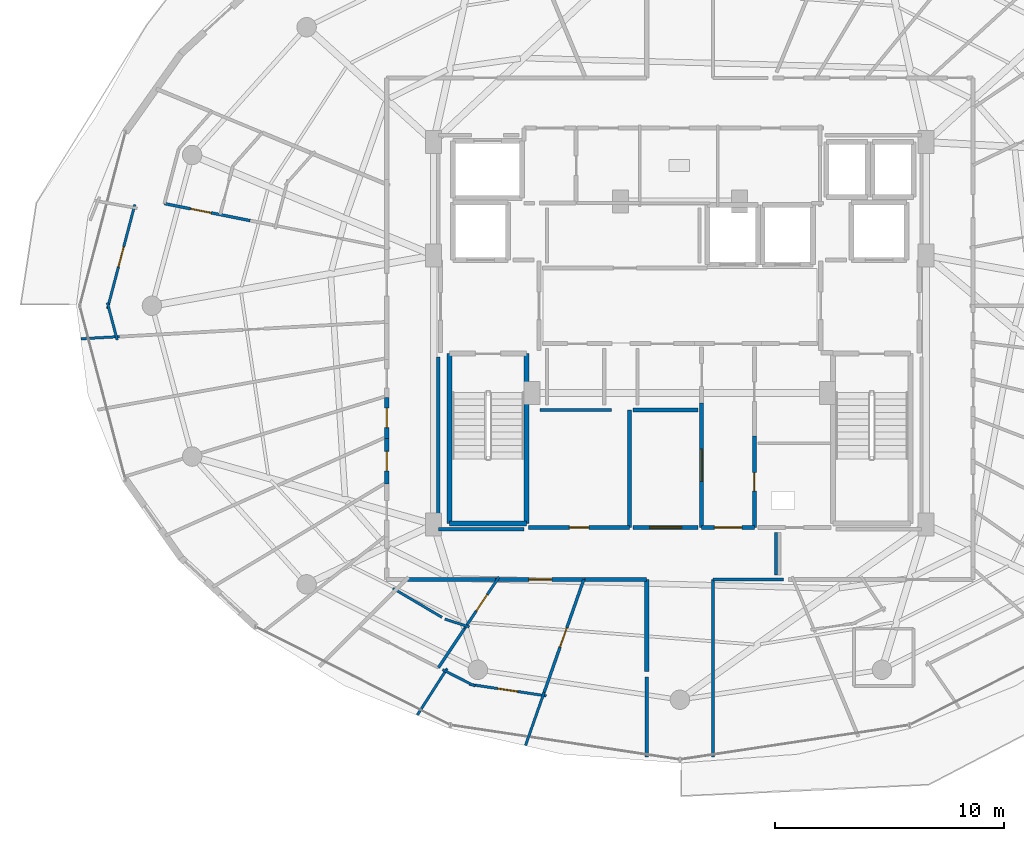
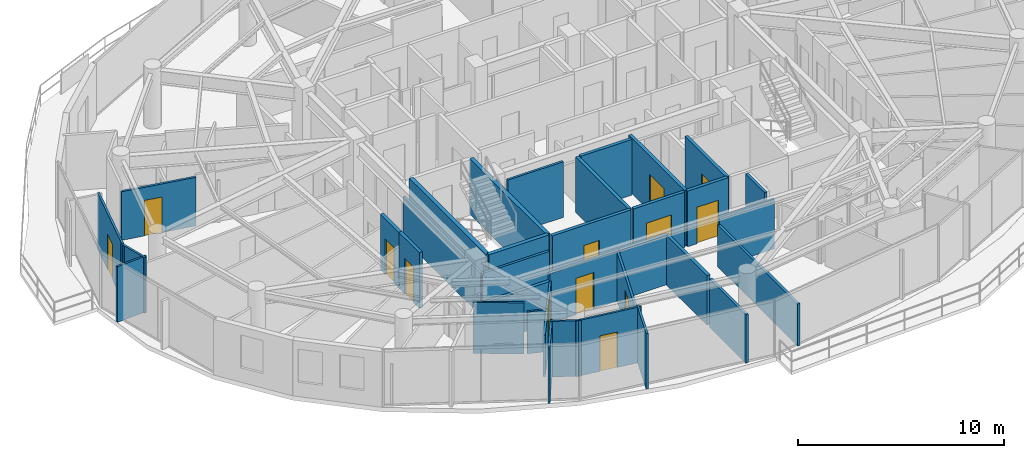
# One storey, part 20 of 29: 36 walls, 13 doors, 13 openings.
"""IFC4 building model written with IfcOpenShell, lengths in metres."""

from ifc_helpers import new_model, si_unit, direction, frame, frame_2d, origin, place, context, subcontext, project, spatial, rectangle, extrude, material, layer, layer_set, type_object, element, fill, save


model = new_model("IFC4")

# Units and contexts
model_context = context("Model", 3, precision=1e-05, world=origin(), true_north=direction((0.0, 1.0)))
body_context = subcontext(model_context, "Body", "Model", "MODEL_VIEW")
ifc_project = project(units=[si_unit("LENGTHUNIT", "METRE"), si_unit("AREAUNIT", "SQUARE_METRE"), si_unit("VOLUMEUNIT", "CUBIC_METRE"), si_unit("PLANEANGLEUNIT", "RADIAN"), si_unit("MASSUNIT", "GRAM", prefix="KILO")], contexts=[model_context])

# Site, building, storey
site_placement = place(None, origin())
site = spatial("IfcSite", under=ifc_project, at=site_placement, CompositionType="ELEMENT")
building_placement = place(site_placement, origin())
building = spatial("IfcBuilding", under=site, at=building_placement, Name="Vorneva Point Tower", CompositionType="ELEMENT")
storey_placement = place(building_placement, frame((0.0, 0.0, 255.550048828125)))
storey = spatial("IfcBuildingStorey", under=building, at=storey_placement, Name="L69", CompositionType="ELEMENT", Elevation=255.550048828125)

# Wall, opening, door
ifc_material_1 = material(Name="Fire-rated acoustic gypsum stud partition", Category="gypsum")
ifc_layer_1 = layer(ifc_material_1, 0.110107421875)
ifc_layer_set_1 = layer_set([ifc_layer_1], Name="Fire-rated acoustic gypsum stud partition")
wall_type_1 = type_object("IfcWallType", Name="WL-PART-110", PredefinedType="PARTITIONING", material=ifc_layer_set_1)
wall_1_placement = place(storey_placement, frame((14.20263671875, 30.41845703125, 0.0), z_axis=(0.0, 0.0, 1.0), x_axis=(-0.254460123068, -0.967083267236, 0.0)))
wall_1 = element("IfcWall", 1, at=wall_1_placement, inside=storey, type_object=wall_type_1, Name="L69 Interior Partition 077", PredefinedType="PARTITIONING", context=body_context, shape_type="SweptSolid", body=[
    extrude(rectangle(XDim=4.708984375, YDim=0.110107421875, at=frame_2d((2.3544921875, 0.0))), origin(), (0.0, 0.0, 1.0), 3.2900390625),
])
opening_1_placement = place(wall_1_placement, frame((1.904296875, 0.0, 0.0)))
opening_1 = element("IfcOpeningElement", 2, at=opening_1_placement, cuts=wall_1, Name="Opening ID-01", PredefinedType="OPENING", context=body_context, shape_type="SweptSolid", body=[
    extrude(rectangle(XDim=0.89990234375, YDim=2.10009765625, at=frame_2d((0.449951171875, 1.050048828125))), frame((0.0, 0.06982421875, 0.0), z_axis=(0.0, -1.0, 0.0), x_axis=(1.0, 0.0, 0.0)), (0.0, 0.0, 1.0), 0.139892578125),
])
ifc_material_2 = material(Name="Engineered oak fire-rated door leaf", Category="wood")
door_type_1 = type_object("IfcDoorType", Name="DR-ROOM-900", OperationType="NOTDEFINED", PredefinedType="DOOR", material=ifc_material_2)
door_1_placement = place(opening_1_placement, origin())
door_1 = element("IfcDoor", 3, at=door_1_placement, inside=storey, type_object=door_type_1, Name="L69 Door Living and Dining Room L69-01 / Kitchen L69-01", OperationType="SINGLE_SWING_LEFT", OverallHeight=2.10009765625, OverallWidth=0.89990234375, PredefinedType="DOOR", context=body_context, shape_type="SweptSolid", body=[
    extrude(rectangle(XDim=0.89990234375, YDim=2.10009765625, at=frame_2d((0.449951171875, 1.050048828125))), frame((0.0, 0.02490234375, 0.0), z_axis=(0.0, -1.0, 0.0), x_axis=(1.0, 0.0, 0.0)), (0.0, 0.0, 1.0), 0.050048828125),
])
fill(opening_1, door_1)

# Walls
wall_2_placement = place(storey_placement, frame((13.00439453125, 26.135498046875, 0.0), z_axis=(0.0, 0.0, 1.0), x_axis=(0.254278727694, -0.967130978018, 0.0)))
element("IfcWall", 4, at=wall_2_placement, inside=storey, type_object=wall_type_1, Name="L69 Interior Partition 078", PredefinedType="PARTITIONING", context=body_context, shape_type="SweptSolid", body=[
    extrude(rectangle(XDim=1.68017578125, YDim=0.110107421875, at=frame_2d((0.840087890625, 0.0))), origin(), (0.0, 0.0, 1.0), 3.2900390625),
])
wall_3_placement = place(storey_placement, frame((13.535888671875, 24.65380859375, 0.0), z_axis=(0.0, 0.0, 1.0), x_axis=(-0.998470551828, -0.055286138695, 0.0)))
element("IfcWall", 5, at=wall_3_placement, inside=storey, type_object=wall_type_1, Name="L69 Interior Partition 079", PredefinedType="PARTITIONING", context=body_context, shape_type="SweptSolid", body=[
    extrude(rectangle(XDim=1.69140625, YDim=0.110107421875, at=frame_2d((0.845703125, 0.0))), origin(), (0.0, 0.0, 1.0), 3.2900390625),
])

# Wall, opening, door
wall_4_placement = place(storey_placement, frame((30.103759765625, 14.16650390625, 0.0), z_axis=(0.0, 0.0, 1.0), x_axis=(-0.555011080332, -0.831842954354, 0.0)))
wall_4 = element("IfcWall", 6, at=wall_4_placement, inside=storey, type_object=wall_type_1, Name="L69 Interior Partition 097", PredefinedType="PARTITIONING", context=body_context, shape_type="SweptSolid", body=[
    extrude(rectangle(XDim=2.718017578125, YDim=0.110107421875, at=frame_2d((1.35888671875, 0.0))), origin(), (0.0, 0.0, 1.0), 2.48193359375),
])
opening_2_placement = place(wall_4_placement, frame((0.93408203125, 0.0, 0.0)))
opening_2 = element("IfcOpeningElement", 7, at=opening_2_placement, cuts=wall_4, Name="Opening ID-02", PredefinedType="OPENING", context=body_context, shape_type="SweptSolid", body=[
    extrude(rectangle(XDim=0.85009765625, YDim=2.10009765625, at=frame_2d((0.425048828125, 1.050048828125))), frame((0.0, 0.06982421875, 0.0), z_axis=(0.0, -1.0, 0.0), x_axis=(1.0, 0.0, 0.0)), (0.0, 0.0, 1.0), 0.139892578125),
])
door_type_2 = type_object("IfcDoorType", Name="DR-BATH-850", OperationType="NOTDEFINED", PredefinedType="DOOR", material=ifc_material_2)
door_2_placement = place(opening_2_placement, origin())
door_2 = element("IfcDoor", 8, at=door_2_placement, inside=storey, type_object=door_type_2, Name="L69 Door Living and Dining Room L69-02 / Bathroom L69-02", OperationType="SINGLE_SWING_RIGHT", OverallHeight=2.10009765625, OverallWidth=0.85009765625, PredefinedType="DOOR", context=body_context, shape_type="SweptSolid", body=[
    extrude(rectangle(XDim=0.85009765625, YDim=2.10009765625, at=frame_2d((0.425048828125, 1.050048828125))), frame((0.0, 0.02490234375, 0.0), z_axis=(0.0, -1.0, 0.0), x_axis=(1.0, 0.0, 0.0)), (0.0, 0.0, 1.0), 0.050048828125),
])
fill(opening_2, door_2)

# Walls
wall_5_placement = place(storey_placement, frame((26.534423828125, 8.132080078125, 0.0), z_axis=(0.0, 0.0, 1.0), x_axis=(0.540114041626, 0.841591838149, 0.0)))
element("IfcWall", 9, at=wall_5_placement, inside=storey, type_object=wall_type_1, Name="L69 Interior Partition 098", PredefinedType="PARTITIONING", context=body_context, shape_type="SweptSolid", body=[
    extrude(rectangle(XDim=2.41650390625, YDim=0.110107421875, at=frame_2d((1.208251953125, 0.0))), origin(), (0.0, 0.0, 1.0), 3.2900390625),
])
wall_6_placement = place(storey_placement, frame((27.638916015625, 10.111083984375, 0.0), z_axis=(0.0, 0.0, 1.0), x_axis=(0.892614165752, -0.45082141819, 0.0)))
element("IfcWall", 10, at=wall_6_placement, inside=storey, type_object=wall_type_1, Name="L69 Interior Partition 099", PredefinedType="PARTITIONING", context=body_context, shape_type="SweptSolid", body=[
    extrude(rectangle(XDim=1.595458984375, YDim=0.110107421875, at=frame_2d((0.7978515625, 0.0))), origin(), (0.0, 0.0, 1.0), 3.2900390625),
])

# Wall, opening, door
wall_7_placement = place(storey_placement, frame((28.799560546875, 9.475830078125, 0.0), z_axis=(0.0, 0.0, 1.0), x_axis=(0.988903707347, -0.148557926731, 0.0)))
wall_7 = element("IfcWall", 11, at=wall_7_placement, inside=storey, type_object=wall_type_1, Name="L69 Interior Partition 100", PredefinedType="PARTITIONING", context=body_context, shape_type="SweptSolid", body=[
    extrude(rectangle(XDim=3.403564453125, YDim=0.110107421875, at=frame_2d((1.70166015625, 0.0))), origin(), (0.0, 0.0, 1.0), 3.2900390625),
])
opening_3_placement = place(wall_7_placement, frame((1.251708984375, 0.0, 0.0)))
opening_3 = element("IfcOpeningElement", 12, at=opening_3_placement, cuts=wall_7, Name="Opening ID-01", PredefinedType="OPENING", context=body_context, shape_type="SweptSolid", body=[
    extrude(rectangle(XDim=0.89990234375, YDim=2.10009765625, at=frame_2d((0.449951171875, 1.050048828125))), frame((0.0, 0.06982421875, 0.0), z_axis=(0.0, -1.0, 0.0), x_axis=(1.0, 0.0, 0.0)), (0.0, 0.0, 1.0), 0.139892578125),
])
door_3_placement = place(opening_3_placement, origin())
door_3 = element("IfcDoor", 13, at=door_3_placement, inside=storey, type_object=door_type_1, Name="L69 Door Living and Dining Room L69-02 / Kitchen L69-02", OperationType="SINGLE_SWING_RIGHT", OverallHeight=2.10009765625, OverallWidth=0.89990234375, PredefinedType="DOOR", context=body_context, shape_type="SweptSolid", body=[
    extrude(rectangle(XDim=0.89990234375, YDim=2.10009765625, at=frame_2d((0.449951171875, 1.050048828125))), frame((0.0, 0.02490234375, 0.0), z_axis=(0.0, -1.0, 0.0), x_axis=(1.0, 0.0, 0.0)), (0.0, 0.0, 1.0), 0.050048828125),
])
fill(opening_3, door_3)

# Walls
wall_8_placement = place(storey_placement, frame((25.472412109375, 13.664306640625, 0.0), z_axis=(0.0, 0.0, 1.0), x_axis=(0.860546797705, -0.509371386082, 0.0)))
element("IfcWall", 14, at=wall_8_placement, inside=storey, type_object=wall_type_1, Name="L69 Interior Partition 104", PredefinedType="PARTITIONING", context=body_context, shape_type="SweptSolid", body=[
    extrude(rectangle(XDim=2.484619140625, YDim=0.110107421875, at=frame_2d((1.2421875, 0.0))), origin(), (0.0, 0.0, 1.0), 3.02197265625),
])
wall_9_placement = place(storey_placement, frame((27.736572265625, 12.320556640625, 0.0), z_axis=(0.0, 0.0, 1.0), x_axis=(0.952754298981, -0.303742071127, 0.0)))
element("IfcWall", 15, at=wall_9_placement, inside=storey, type_object=wall_type_1, Name="L69 Interior Partition 105", PredefinedType="PARTITIONING", context=body_context, shape_type="SweptSolid", body=[
    extrude(rectangle(XDim=1.122802734375, YDim=0.110107421875, at=frame_2d((0.5615234375, 0.0))), origin(), (0.0, 0.0, 1.0), 2.48193359375),
])
wall_10_placement = place(storey_placement, frame((31.258544921875, 6.802978515625, 0.0), z_axis=(0.0, 0.0, 1.0), x_axis=(0.331407174133, 0.943487829775, 0.0)))
element("IfcWall", 16, at=wall_10_placement, inside=storey, type_object=wall_type_1, Name="L69 Interior Partition 106", PredefinedType="PARTITIONING", context=body_context, shape_type="SweptSolid", body=[
    extrude(rectangle(XDim=2.458984375, YDim=0.110107421875, at=frame_2d((1.2294921875, 0.0))), origin(), (0.0, 0.0, 1.0), 3.2900390625),
])
ifc_layer_2 = layer(ifc_material_1, 0.125)
ifc_layer_set_2 = layer_set([ifc_layer_2], Name="Fire-rated acoustic gypsum stud partition")
wall_type_2 = type_object("IfcWallType", Name="WL-PART-125", PredefinedType="PARTITIONING", material=ifc_layer_set_2)
wall_11_placement = place(storey_placement, frame((35.0048828125, 21.449951171875, 0.0), z_axis=(0.0, 0.0, 1.0), x_axis=(-1.0, 0.0, 0.0)))
element("IfcWall", 17, at=wall_11_placement, inside=storey, type_object=wall_type_2, Name="L69 Interior Partition 031", PredefinedType="PARTITIONING", context=body_context, shape_type="SweptSolid", body=[
    extrude(rectangle(XDim=3.10986328125, YDim=0.125, at=frame_2d((1.554931640625, 0.0))), origin(), (0.0, 0.0, 1.0), 3.2900390625),
])

# Wall, opening, door
wall_12_placement = place(storey_placement, frame((19.236083984375, 29.719970703125, 0.0), z_axis=(0.0, 0.0, 1.0), x_axis=(-0.980906665774, 0.194479081243, 0.0)))
wall_12 = element("IfcWall", 18, at=wall_12_placement, inside=storey, type_object=wall_type_2, Name="L69 Interior Partition 070", PredefinedType="PARTITIONING", context=body_context, shape_type="SweptSolid", body=[
    extrude(rectangle(XDim=3.81494140625, YDim=0.125, at=frame_2d((1.907470703125, 0.0))), origin(), (0.0, 0.0, 1.0), 2.8740234375),
])
opening_4_placement = place(wall_12_placement, frame((1.7373046875, 0.0, 0.0)))
opening_4 = element("IfcOpeningElement", 19, at=opening_4_placement, cuts=wall_12, Name="Opening ID-01", PredefinedType="OPENING", context=body_context, shape_type="SweptSolid", body=[
    extrude(rectangle(XDim=0.89990234375, YDim=2.10009765625, at=frame_2d((0.449951171875, 1.050048828125))), frame((0.0, 0.077392578125, 0.0), z_axis=(0.0, -1.0, 0.0), x_axis=(1.0, 0.0, 0.0)), (0.0, 0.0, 1.0), 0.15478515625),
])
door_4_placement = place(opening_4_placement, origin())
door_4 = element("IfcDoor", 20, at=door_4_placement, inside=storey, type_object=door_type_1, Name="L69 Door Living and Dining Room L69-01 / Family Dining Room L69-01", OperationType="SINGLE_SWING_LEFT", OverallHeight=2.10009765625, OverallWidth=0.89990234375, PredefinedType="DOOR", context=body_context, shape_type="SweptSolid", body=[
    extrude(rectangle(XDim=0.89990234375, YDim=2.10009765625, at=frame_2d((0.449951171875, 1.050048828125))), frame((0.0, 0.02490234375, 0.0), z_axis=(0.0, -1.0, 0.0), x_axis=(1.0, 0.0, 0.0)), (0.0, 0.0, 1.0), 0.050048828125),
])
fill(opening_4, door_4)

# Wall
wall_13_placement = place(storey_placement, frame((28.59521484375, 11.905517578125, 0.0), z_axis=(0.0, 0.0, 1.0), x_axis=(-0.555085472594, -0.831793314541, 0.0)))
element("IfcWall", 21, at=wall_13_placement, inside=storey, type_object=wall_type_2, Name="L69 Interior Partition 102", PredefinedType="PARTITIONING", context=body_context, shape_type="SweptSolid", body=[
    extrude(rectangle(XDim=2.046875, YDim=0.125, at=frame_2d((1.0234375, 0.0))), origin(), (0.0, 0.0, 1.0), 2.48193359375),
])

# Wall, opening, door
wall_14_placement = place(storey_placement, frame((32.027099609375, 8.990966796875, 0.0), z_axis=(0.0, 0.0, 1.0), x_axis=(0.331214316781, 0.943555550224, 0.0)))
wall_14 = element("IfcWall", 22, at=wall_14_placement, inside=storey, type_object=wall_type_2, Name="L69 Interior Partition 103", PredefinedType="PARTITIONING", context=body_context, shape_type="SweptSolid", body=[
    extrude(rectangle(XDim=5.36181640625, YDim=0.125, at=frame_2d((2.680908203125, 0.0))), origin(), (0.0, 0.0, 1.0), 2.8740234375),
])
opening_5_placement = place(wall_14_placement, frame((2.230712890625, 0.0, 0.0)))
opening_5 = element("IfcOpeningElement", 23, at=opening_5_placement, cuts=wall_14, Name="Opening ID-01", PredefinedType="OPENING", context=body_context, shape_type="SweptSolid", body=[
    extrude(rectangle(XDim=0.89990234375, YDim=2.10009765625, at=frame_2d((0.449951171875, 1.050048828125))), frame((0.0, 0.077392578125, 0.0), z_axis=(0.0, -1.0, 0.0), x_axis=(1.0, 0.0, 0.0)), (0.0, 0.0, 1.0), 0.15478515625),
])
door_5_placement = place(opening_5_placement, origin())
door_5 = element("IfcDoor", 24, at=door_5_placement, inside=storey, type_object=door_type_1, Name="L69 Door Living and Dining Room L69-02 / Master Bedroom L69-02.1", OperationType="SINGLE_SWING_LEFT", OverallHeight=2.10009765625, OverallWidth=0.89990234375, PredefinedType="DOOR", context=body_context, shape_type="SweptSolid", body=[
    extrude(rectangle(XDim=0.89990234375, YDim=2.10009765625, at=frame_2d((0.449951171875, 1.050048828125))), frame((0.0, 0.02490234375, 0.0), z_axis=(0.0, -1.0, 0.0), x_axis=(1.0, 0.0, 0.0)), (0.0, 0.0, 1.0), 0.050048828125),
])
fill(opening_5, door_5)

# Walls
ifc_layer_3 = layer(ifc_material_1, 0.139892578125)
ifc_layer_set_3 = layer_set([ifc_layer_3], Name="Fire-rated acoustic gypsum stud partition")
wall_type_3 = type_object("IfcWallType", Name="WL-PART-140", PredefinedType="PARTITIONING", material=ifc_layer_set_3)
wall_15_placement = place(storey_placement, frame((36.550048828125, 9.802978515625, 0.0), z_axis=(0.0, 0.0, 1.0), x_axis=(0.0, -1.0, 0.0)))
element("IfcWall", 25, at=wall_15_placement, inside=storey, type_object=wall_type_3, Name="L69 Interior Closure Partition 153", PredefinedType="PARTITIONING", context=body_context, shape_type="SweptSolid", body=[
    extrude(rectangle(XDim=3.50390625, YDim=0.139892578125, at=frame_2d((1.751953125, 0.0))), origin(), (0.0, 0.0, 1.0), 2.8740234375),
])
wall_16_placement = place(storey_placement, frame((39.449951171875, 6.299072265625, 0.0), z_axis=(0.0, 0.0, 1.0), x_axis=(0.0, 1.0, 0.0)))
element("IfcWall", 26, at=wall_16_placement, inside=storey, type_object=wall_type_3, Name="L69 Interior Closure Partition 154", PredefinedType="PARTITIONING", context=body_context, shape_type="SweptSolid", body=[
    extrude(rectangle(XDim=7.7509765625, YDim=0.139892578125, at=frame_2d((3.87548828125, 0.0))), origin(), (0.0, 0.0, 1.0), 2.48193359375),
])
wall_17_placement = place(storey_placement, frame((39.449951171875, 14.050048828125, 0.0), z_axis=(0.0, 0.0, 1.0), x_axis=(1.0, 0.0, 0.0)))
element("IfcWall", 27, at=wall_17_placement, inside=storey, type_object=wall_type_3, Name="L69 Interior Closure Partition 155", PredefinedType="PARTITIONING", context=body_context, shape_type="SweptSolid", body=[
    extrude(rectangle(XDim=3.080078125, YDim=0.139892578125, at=frame_2d((1.5400390625, 0.0))), origin(), (0.0, 0.0, 1.0), 2.93603515625),
])
wall_18_placement = place(storey_placement, frame((27.449951171875, 23.75390625, 0.0), z_axis=(0.0, 0.0, 1.0), x_axis=(0.0, -1.0, 0.0)))
element("IfcWall", 28, at=wall_18_placement, inside=storey, type_object=wall_type_3, Name="L69 Interior Closure Partition 166", PredefinedType="PARTITIONING", context=body_context, shape_type="SweptSolid", body=[
    extrude(rectangle(XDim=7.513916015625, YDim=0.139892578125, at=frame_2d((3.7568359375, 0.0))), origin(), (0.0, 0.0, 1.0), 2.48193359375),
])
wall_19_placement = place(storey_placement, frame((27.449951171875, 16.239990234375, 0.0), z_axis=(0.0, 0.0, 1.0), x_axis=(1.0, 0.0, 0.0)))
element("IfcWall", 29, at=wall_19_placement, inside=storey, type_object=wall_type_3, Name="L69 Interior Closure Partition 167", PredefinedType="PARTITIONING", context=body_context, shape_type="SweptSolid", body=[
    extrude(rectangle(XDim=3.7451171875, YDim=0.139892578125, at=frame_2d((1.87255859375, 0.0))), origin(), (0.0, 0.0, 1.0), 2.48193359375),
])
wall_20_placement = place(storey_placement, frame((42.199951171875, 16.10009765625, 0.0), z_axis=(0.0, 0.0, 1.0), x_axis=(0.0, -1.0, 0.0)))
element("IfcWall", 30, at=wall_20_placement, inside=storey, type_object=wall_type_3, Name="L69 Interior Closure Partition 168", PredefinedType="PARTITIONING", context=body_context, shape_type="SweptSolid", body=[
    extrude(rectangle(XDim=1.85009765625, YDim=0.139892578125, at=frame_2d((0.925048828125, 0.0))), origin(), (0.0, 0.0, 1.0), 3.2900390625),
])

# Wall, opening, door
ifc_material_3 = material(Name="Autoclaved aerated concrete blockwork", Category="masonry")
ifc_layer_4 = layer(ifc_material_3, 0.179931640625)
ifc_layer_set_4 = layer_set([ifc_layer_4], Name="Autoclaved aerated concrete blockwork")
wall_type_4 = type_object("IfcWallType", Name="WL-PART-180", PredefinedType="PARTITIONING", material=ifc_layer_set_4)
wall_21_placement = place(storey_placement, frame((41.25, 16.320068359375, 0.0), z_axis=(0.0, 0.0, 1.0), x_axis=(0.0, 1.0, 0.0)))
wall_21 = element("IfcWall", 31, at=wall_21_placement, inside=storey, type_object=wall_type_4, Name="L69 Interior Partition 015", PredefinedType="PARTITIONING", context=body_context, shape_type="SweptSolid", body=[
    extrude(rectangle(XDim=3.98486328125, YDim=0.179931640625, at=frame_2d((1.992431640625, 0.0))), origin(), (0.0, 0.0, 1.0), 3.2900390625),
])
opening_6_placement = place(wall_21_placement, frame((1.592529296875, 0.0, 0.0)))
opening_6 = element("IfcOpeningElement", 32, at=opening_6_placement, cuts=wall_21, Name="Opening RD-01", PredefinedType="OPENING", context=body_context, shape_type="SweptSolid", body=[
    extrude(rectangle(XDim=0.800048828125, YDim=2.050048828125, at=frame_2d((0.39990234375, 1.02490234375))), frame((0.0, 0.10498046875, 0.0), z_axis=(0.0, -1.0, 0.0), x_axis=(1.0, 0.0, 0.0)), (0.0, 0.0, 1.0), 0.209716796875),
])
ifc_material_4 = material(Name="Fire-rated powder-coated steel", Category="steel")
door_type_3 = type_object("IfcDoorType", Name="DR-RSR-800", OperationType="SINGLE_SWING_LEFT", PredefinedType="DOOR", material=ifc_material_4)
door_6_placement = place(opening_6_placement, origin())
door_6 = element("IfcDoor", 33, at=door_6_placement, inside=storey, type_object=door_type_3, Name="L69 Door Core Service Lobby / Electrical Riser", OperationType="SINGLE_SWING_RIGHT", OverallHeight=2.050048828125, OverallWidth=0.800048828125, PredefinedType="DOOR", context=body_context, shape_type="SweptSolid", body=[
    extrude(rectangle(XDim=0.800048828125, YDim=2.050048828125, at=frame_2d((0.39990234375, 1.02490234375))), frame((0.0, 0.02490234375, 0.0), z_axis=(0.0, -1.0, 0.0), x_axis=(1.0, 0.0, 0.0)), (0.0, 0.0, 1.0), 0.050048828125),
])
fill(opening_6, door_6)

wall_22_placement = place(storey_placement, frame((38.949951171875, 21.7548828125, 0.0), z_axis=(0.0, 0.0, 1.0), x_axis=(0.0, -1.0, 0.0)))
wall_22 = element("IfcWall", 34, at=wall_22_placement, inside=storey, type_object=wall_type_4, Name="L69 Interior Partition 017", PredefinedType="PARTITIONING", context=body_context, shape_type="SweptSolid", body=[
    extrude(rectangle(XDim=5.434814453125, YDim=0.179931640625, at=frame_2d((2.71728515625, 0.0))), origin(), (0.0, 0.0, 1.0), 3.2900390625),
])
opening_7_placement = place(wall_22_placement, frame((2.017578125, 0.0, 0.0)))
opening_7 = element("IfcOpeningElement", 35, at=opening_7_placement, cuts=wall_22, Name="Opening FD-03", PredefinedType="OPENING", context=body_context, shape_type="SweptSolid", body=[
    extrude(rectangle(XDim=1.39990234375, YDim=2.199951171875, at=frame_2d((0.699951171875, 1.10009765625))), frame((0.0, 0.10498046875, 0.0), z_axis=(0.0, -1.0, 0.0), x_axis=(1.0, 0.0, 0.0)), (0.0, 0.0, 1.0), 0.209716796875),
])
door_type_4 = type_object("IfcDoorType", Name="DR-PLT-1400", OperationType="DOUBLE_SWING_LEFT", PredefinedType="DOOR", material=ifc_material_4)
door_7_placement = place(opening_7_placement, origin())
door_7 = element("IfcDoor", 36, at=door_7_placement, inside=storey, type_object=door_type_4, Name="L69 Door Core Service Lobby / Telecoms and Data Room", OperationType="DOUBLE_SWING_LEFT", OverallHeight=2.199951171875, OverallWidth=1.39990234375, PredefinedType="DOOR", context=body_context, shape_type="SweptSolid", body=[
    extrude(rectangle(XDim=1.39990234375, YDim=2.199951171875, at=frame_2d((0.699951171875, 1.10009765625))), frame((0.0, 0.02490234375, 0.0), z_axis=(0.0, -1.0, 0.0), x_axis=(1.0, 0.0, 0.0)), (0.0, 0.0, 1.0), 0.050048828125),
])
fill(opening_7, door_7)

wall_23_placement = place(storey_placement, frame((38.949951171875, 16.320068359375, 0.0), z_axis=(0.0, 0.0, 1.0), x_axis=(1.0, 0.0, 0.0)))
wall_23 = element("IfcWall", 37, at=wall_23_placement, inside=storey, type_object=wall_type_4, Name="L69 Interior Partition 019", PredefinedType="PARTITIONING", context=body_context, shape_type="SweptSolid", body=[
    extrude(rectangle(XDim=2.300048828125, YDim=0.179931640625, at=frame_2d((1.14990234375, 0.0))), origin(), (0.0, 0.0, 1.0), 3.2900390625),
])
opening_8_placement = place(wall_23_placement, frame((0.550048828125, 0.0, 0.0)))
opening_8 = element("IfcOpeningElement", 38, at=opening_8_placement, cuts=wall_23, Name="Opening FD-02", PredefinedType="OPENING", context=body_context, shape_type="SweptSolid", body=[
    extrude(rectangle(XDim=1.199951171875, YDim=2.14990234375, at=frame_2d((0.60009765625, 1.074951171875))), frame((0.0, 0.10498046875, 0.0), z_axis=(0.0, -1.0, 0.0), x_axis=(1.0, 0.0, 0.0)), (0.0, 0.0, 1.0), 0.209716796875),
])
door_type_5 = type_object("IfcDoorType", Name="DR-FFL-1200", OperationType="NOTDEFINED", PredefinedType="DOOR", material=ifc_material_4)
door_8_placement = place(opening_8_placement, origin())
door_8 = element("IfcDoor", 39, at=door_8_placement, inside=storey, type_object=door_type_5, Name="L69 Door Core Service Lobby / L69 Circulation Corridor", OperationType="SINGLE_SWING_RIGHT", OverallHeight=2.14990234375, OverallWidth=1.199951171875, PredefinedType="DOOR", context=body_context, shape_type="SweptSolid", body=[
    extrude(rectangle(XDim=1.199951171875, YDim=2.14990234375, at=frame_2d((0.60009765625, 1.074951171875))), frame((0.0, 0.02490234375, 0.0), z_axis=(0.0, -1.0, 0.0), x_axis=(1.0, 0.0, 0.0)), (0.0, 0.0, 1.0), 0.050048828125),
])
fill(opening_8, door_8)

# Wall
wall_24_placement = place(storey_placement, frame((35.800048828125, 16.320068359375, 0.0), z_axis=(0.0, 0.0, 1.0), x_axis=(0.0, 1.0, 0.0)))
element("IfcWall", 40, at=wall_24_placement, inside=storey, type_object=wall_type_4, Name="L69 Interior Partition 030", PredefinedType="PARTITIONING", context=body_context, shape_type="SweptSolid", body=[
    extrude(rectangle(XDim=5.1298828125, YDim=0.179931640625, at=frame_2d((2.56494140625, 0.0))), origin(), (0.0, 0.0, 1.0), 3.2900390625),
])

# Wall, opening, door
wall_25_placement = place(storey_placement, frame((31.39990234375, 16.320068359375, 0.0), z_axis=(0.0, 0.0, 1.0), x_axis=(1.0, 0.0, 0.0)))
wall_25 = element("IfcWall", 41, at=wall_25_placement, inside=storey, type_object=wall_type_4, Name="L69 Interior Partition 032", PredefinedType="PARTITIONING", context=body_context, shape_type="SweptSolid", body=[
    extrude(rectangle(XDim=4.400146484375, YDim=0.179931640625, at=frame_2d((2.2001953125, 0.0))), origin(), (0.0, 0.0, 1.0), 3.2900390625),
])
opening_9_placement = place(wall_25_placement, frame((1.77490234375, 0.0, 0.0)))
opening_9 = element("IfcOpeningElement", 42, at=opening_9_placement, cuts=wall_25, Name="Opening ID-02", PredefinedType="OPENING", context=body_context, shape_type="SweptSolid", body=[
    extrude(rectangle(XDim=0.85009765625, YDim=2.10009765625, at=frame_2d((0.425048828125, 1.050048828125))), frame((0.0, 0.10498046875, 0.0), z_axis=(0.0, -1.0, 0.0), x_axis=(1.0, 0.0, 0.0)), (0.0, 0.0, 1.0), 0.209716796875),
])
door_9_placement = place(opening_9_placement, origin())
door_9 = element("IfcDoor", 43, at=door_9_placement, inside=storey, type_object=door_type_2, Name="L69 Door Bicycle Gear Store / L69 Circulation Corridor", OperationType="SINGLE_SWING_LEFT", OverallHeight=2.10009765625, OverallWidth=0.85009765625, PredefinedType="DOOR", context=body_context, shape_type="SweptSolid", body=[
    extrude(rectangle(XDim=0.85009765625, YDim=2.10009765625, at=frame_2d((0.425048828125, 1.050048828125))), frame((0.0, 0.02490234375, 0.0), z_axis=(0.0, -1.0, 0.0), x_axis=(1.0, 0.0, 0.0)), (0.0, 0.0, 1.0), 0.050048828125),
])
fill(opening_9, door_9)

# Wall
wall_26_placement = place(storey_placement, frame((38.800048828125, 21.449951171875, 0.0), z_axis=(0.0, 0.0, 1.0), x_axis=(-1.0, 0.0, 0.0)))
element("IfcWall", 44, at=wall_26_placement, inside=storey, type_object=wall_type_4, Name="L69 Interior Partition 033", PredefinedType="PARTITIONING", context=body_context, shape_type="SweptSolid", body=[
    extrude(rectangle(XDim=2.85009765625, YDim=0.179931640625, at=frame_2d((1.425048828125, 0.0))), origin(), (0.0, 0.0, 1.0), 3.2900390625),
])

# Wall, opening, door
wall_27_placement = place(storey_placement, frame((35.949951171875, 16.320068359375, 0.0), z_axis=(0.0, 0.0, 1.0), x_axis=(1.0, 0.0, 0.0)))
wall_27 = element("IfcWall", 45, at=wall_27_placement, inside=storey, type_object=wall_type_4, Name="L69 Interior Partition 034", PredefinedType="PARTITIONING", context=body_context, shape_type="SweptSolid", body=[
    extrude(rectangle(XDim=2.85009765625, YDim=0.179931640625, at=frame_2d((1.425048828125, 0.0))), origin(), (0.0, 0.0, 1.0), 3.2900390625),
])
opening_10_placement = place(wall_27_placement, frame((0.72509765625, 0.0, 0.0)))
opening_10 = element("IfcOpeningElement", 46, at=opening_10_placement, cuts=wall_27, Name="Opening FD-03", PredefinedType="OPENING", context=body_context, shape_type="SweptSolid", body=[
    extrude(rectangle(XDim=1.39990234375, YDim=2.199951171875, at=frame_2d((0.699951171875, 1.10009765625))), frame((0.0, 0.10498046875, 0.0), z_axis=(0.0, -1.0, 0.0), x_axis=(1.0, 0.0, 0.0)), (0.0, 0.0, 1.0), 0.209716796875),
])
door_10_placement = place(opening_10_placement, origin())
door_10 = element("IfcDoor", 47, at=door_10_placement, inside=storey, type_object=door_type_4, Name="L69 Door Telecoms and Data Room / L69 Circulation Corridor", OperationType="DOUBLE_SWING_LEFT", OverallHeight=2.199951171875, OverallWidth=1.39990234375, PredefinedType="DOOR", context=body_context, shape_type="SweptSolid", body=[
    extrude(rectangle(XDim=1.39990234375, YDim=2.199951171875, at=frame_2d((0.699951171875, 1.10009765625))), frame((0.0, 0.02490234375, 0.0), z_axis=(0.0, -1.0, 0.0), x_axis=(1.0, 0.0, 0.0)), (0.0, 0.0, 1.0), 0.050048828125),
])
fill(opening_10, door_10)

wall_28_placement = place(storey_placement, frame((25.199951171875, 21.9990234375, 0.0), z_axis=(0.0, 0.0, 1.0), x_axis=(0.0, -1.0, 0.0)))
wall_28 = element("IfcWall", 48, at=wall_28_placement, inside=storey, type_object=wall_type_4, Name="L69 Interior Partition 039", PredefinedType="PARTITIONING", context=body_context, shape_type="SweptSolid", body=[
    extrude(rectangle(XDim=1.783935546875, YDim=0.179931640625, at=frame_2d((0.89208984375, 0.0))), origin(), (0.0, 0.0, 1.0), 3.2900390625),
])
opening_11_placement = place(wall_28_placement, frame((0.467041015625, 0.0, 0.0)))
opening_11 = element("IfcOpeningElement", 49, at=opening_11_placement, cuts=wall_28, Name="Opening ID-02", PredefinedType="OPENING", context=body_context, shape_type="SweptSolid", body=[
    extrude(rectangle(XDim=0.85009765625, YDim=2.10009765625, at=frame_2d((0.425048828125, 1.050048828125))), frame((0.0, 0.10498046875, 0.0), z_axis=(0.0, -1.0, 0.0), x_axis=(1.0, 0.0, 0.0)), (0.0, 0.0, 1.0), 0.209716796875),
])
door_11_placement = place(opening_11_placement, origin())
door_11 = element("IfcDoor", 50, at=door_11_placement, inside=storey, type_object=door_type_2, Name="L69 Access Door L69 Circulation Corridor", OperationType="SINGLE_SWING_LEFT", OverallHeight=2.10009765625, OverallWidth=0.85009765625, PredefinedType="DOOR", context=body_context, shape_type="SweptSolid", body=[
    extrude(rectangle(XDim=0.85009765625, YDim=2.10009765625, at=frame_2d((0.425048828125, 1.050048828125))), frame((0.0, 0.02490234375, 0.0), z_axis=(0.0, -1.0, 0.0), x_axis=(1.0, 0.0, 0.0)), (0.0, 0.0, 1.0), 0.050048828125),
])
fill(opening_11, door_11)

wall_29_placement = place(storey_placement, frame((25.199951171875, 20.215087890625, 0.0), z_axis=(0.0, 0.0, 1.0), x_axis=(0.0, -1.0, 0.0)))
wall_29 = element("IfcWall", 51, at=wall_29_placement, inside=storey, type_object=wall_type_4, Name="L69 Interior Partition 040", PredefinedType="PARTITIONING", context=body_context, shape_type="SweptSolid", body=[
    extrude(rectangle(XDim=1.990966796875, YDim=0.179931640625, at=frame_2d((0.99560546875, 0.0))), origin(), (0.0, 0.0, 1.0), 3.2900390625),
])
opening_12_placement = place(wall_29_placement, frame((0.570556640625, 0.0, 0.0)))
opening_12 = element("IfcOpeningElement", 52, at=opening_12_placement, cuts=wall_29, Name="Opening ID-02", PredefinedType="OPENING", context=body_context, shape_type="SweptSolid", body=[
    extrude(rectangle(XDim=0.85009765625, YDim=2.10009765625, at=frame_2d((0.425048828125, 1.050048828125))), frame((0.0, 0.10498046875, 0.0), z_axis=(0.0, -1.0, 0.0), x_axis=(1.0, 0.0, 0.0)), (0.0, 0.0, 1.0), 0.209716796875),
])
door_12_placement = place(opening_12_placement, origin())
door_12 = element("IfcDoor", 53, at=door_12_placement, inside=storey, type_object=door_type_2, Name="L69 Access Door L69 Circulation Corridor", OperationType="SINGLE_SWING_RIGHT", OverallHeight=2.10009765625, OverallWidth=0.85009765625, PredefinedType="DOOR", context=body_context, shape_type="SweptSolid", body=[
    extrude(rectangle(XDim=0.85009765625, YDim=2.10009765625, at=frame_2d((0.425048828125, 1.050048828125))), frame((0.0, 0.02490234375, 0.0), z_axis=(0.0, -1.0, 0.0), x_axis=(1.0, 0.0, 0.0)), (0.0, 0.0, 1.0), 0.050048828125),
])
fill(opening_12, door_12)

wall_30_placement = place(storey_placement, frame((29.9541015625, 14.050048828125, 0.0), z_axis=(0.0, 0.0, 1.0), x_axis=(1.0, 0.0, 0.0)))
wall_30 = element("IfcWall", 54, at=wall_30_placement, inside=storey, type_object=wall_type_4, Name="L69 Interior Partition 044", PredefinedType="PARTITIONING", context=body_context, shape_type="SweptSolid", body=[
    extrude(rectangle(XDim=3.908935546875, YDim=0.179931640625, at=frame_2d((1.95458984375, 0.0))), origin(), (0.0, 0.0, 1.0), 2.93603515625),
])
opening_13_placement = place(wall_30_placement, frame((1.45458984375, 0.0, 0.0)))
opening_13 = element("IfcOpeningElement", 55, at=opening_13_placement, cuts=wall_30, Name="Opening UD-01", PredefinedType="OPENING", context=body_context, shape_type="SweptSolid", body=[
    extrude(rectangle(XDim=1.0, YDim=2.14990234375, at=frame_2d((0.5, 1.074951171875))), frame((0.0, 0.10498046875, 0.0), z_axis=(0.0, -1.0, 0.0), x_axis=(1.0, 0.0, 0.0)), (0.0, 0.0, 1.0), 0.209716796875),
])
door_type_6 = type_object("IfcDoorType", Name="DR-UNIT-1000", OperationType="NOTDEFINED", PredefinedType="DOOR", material=ifc_material_2)
door_13_placement = place(opening_13_placement, origin())
door_13 = element("IfcDoor", 56, at=door_13_placement, inside=storey, type_object=door_type_6, Name="L69 Door L69 Circulation Corridor / Living and Dining Room L69-02", OperationType="SINGLE_SWING_RIGHT", OverallHeight=2.14990234375, OverallWidth=1.0, PredefinedType="DOOR", context=body_context, shape_type="SweptSolid", body=[
    extrude(rectangle(XDim=1.0, YDim=2.14990234375, at=frame_2d((0.5, 1.074951171875))), frame((0.0, 0.02490234375, 0.0), z_axis=(0.0, -1.0, 0.0), x_axis=(1.0, 0.0, 0.0)), (0.0, 0.0, 1.0), 0.050048828125),
])
fill(opening_13, door_13)

# Walls
wall_31_placement = place(storey_placement, frame((25.969970703125, 14.050048828125, 0.0), z_axis=(0.0, 0.0, 1.0), x_axis=(1.0, 0.0, 0.0)))
element("IfcWall", 57, at=wall_31_placement, inside=storey, type_object=wall_type_4, Name="L69 Interior Partition 045", PredefinedType="PARTITIONING", context=body_context, shape_type="SweptSolid", body=[
    extrude(rectangle(XDim=4.1240234375, YDim=0.179931640625, at=frame_2d((2.06201171875, 0.0))), origin(), (0.0, 0.0, 1.0), 2.48193359375),
])
wall_32_placement = place(storey_placement, frame((33.863037109375, 14.050048828125, 0.0), z_axis=(0.0, 0.0, 1.0), x_axis=(1.0, 0.0, 0.0)))
element("IfcWall", 58, at=wall_32_placement, inside=storey, type_object=wall_type_4, Name="L69 Interior Partition 046", PredefinedType="PARTITIONING", context=body_context, shape_type="SweptSolid", body=[
    extrude(rectangle(XDim=2.68701171875, YDim=0.179931640625, at=frame_2d((1.343505859375, 0.0))), origin(), (0.0, 0.0, 1.0), 2.93603515625),
])
wall_33_placement = place(storey_placement, frame((36.550048828125, 14.050048828125, 0.0), z_axis=(0.0, 0.0, 1.0), x_axis=(0.0, -1.0, 0.0)))
element("IfcWall", 59, at=wall_33_placement, inside=storey, type_object=wall_type_4, Name="L69 Interior Partition 047", PredefinedType="PARTITIONING", context=body_context, shape_type="SweptSolid", body=[
    extrude(rectangle(XDim=4.027099609375, YDim=0.179931640625, at=frame_2d((2.013671875, 0.0))), origin(), (0.0, 0.0, 1.0), 2.93603515625),
])
ifc_material_5 = material(Name="Concrete B50 (C40/50)", Category="concrete")
ifc_layer_5 = layer(ifc_material_5, 0.219970703125)
ifc_layer_set_5 = layer_set([ifc_layer_5], Name="Concrete B50 (C40/50)")
wall_type_5 = type_object("IfcWallType", Name="WL-SHFT-220", PredefinedType="SOLIDWALL", material=ifc_layer_set_5)
wall_34_placement = place(storey_placement, frame((31.31005859375, 23.909912109375, 0.0), z_axis=(0.0, 0.0, 1.0), x_axis=(0.0, -1.0, 0.0)))
element("IfcWall", 60, at=wall_34_placement, inside=storey, type_object=wall_type_5, Name="L69 Exit Stair ST1 Shaft Wall right", PredefinedType="SOLIDWALL", context=body_context, shape_type="SweptSolid", body=[
    extrude(rectangle(XDim=7.419921875, YDim=0.219970703125, at=frame_2d((3.7099609375, 0.0))), origin(), (0.0, 0.0, 1.0), 3.2900390625),
])
wall_35_placement = place(storey_placement, frame((31.31005859375, 16.489990234375, 0.0), z_axis=(0.0, 0.0, 1.0), x_axis=(-1.0, 0.0, 0.0)))
element("IfcWall", 61, at=wall_35_placement, inside=storey, type_object=wall_type_5, Name="L69 Exit Stair ST1 Shaft Wall far", PredefinedType="SOLIDWALL", context=body_context, shape_type="SweptSolid", body=[
    extrude(rectangle(XDim=3.3701171875, YDim=0.219970703125, at=frame_2d((1.68505859375, 0.0))), origin(), (0.0, 0.0, 1.0), 3.2900390625),
])
wall_36_placement = place(storey_placement, frame((27.93994140625, 16.489990234375, 0.0), z_axis=(0.0, 0.0, 1.0), x_axis=(0.0, 1.0, 0.0)))
element("IfcWall", 62, at=wall_36_placement, inside=storey, type_object=wall_type_5, Name="L69 Exit Stair ST1 Shaft Wall left", PredefinedType="SOLIDWALL", context=body_context, shape_type="SweptSolid", body=[
    extrude(rectangle(XDim=7.419921875, YDim=0.219970703125, at=frame_2d((3.7099609375, 0.0))), origin(), (0.0, 0.0, 1.0), 3.2900390625),
])

save(model, "model.ifc")
